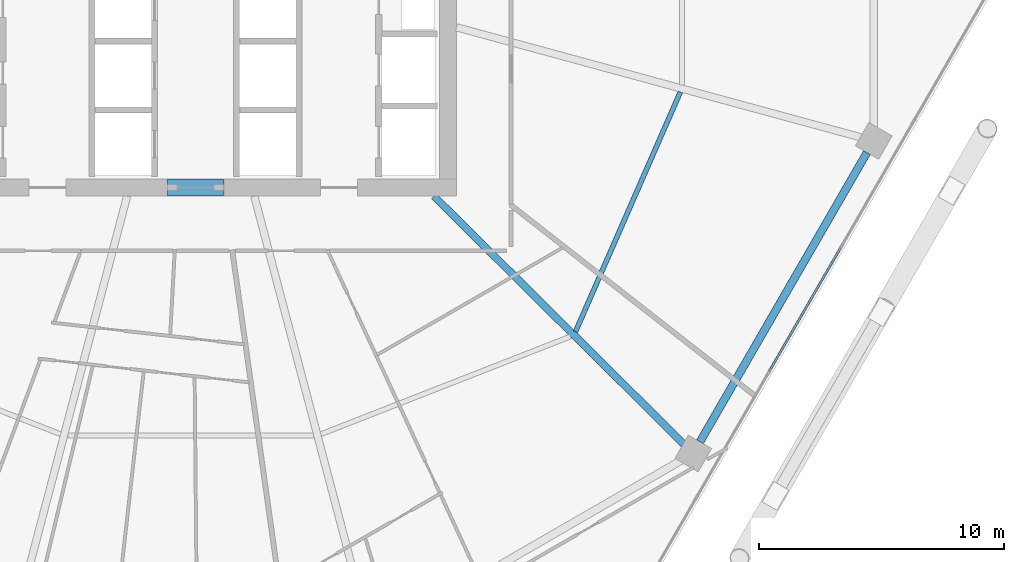
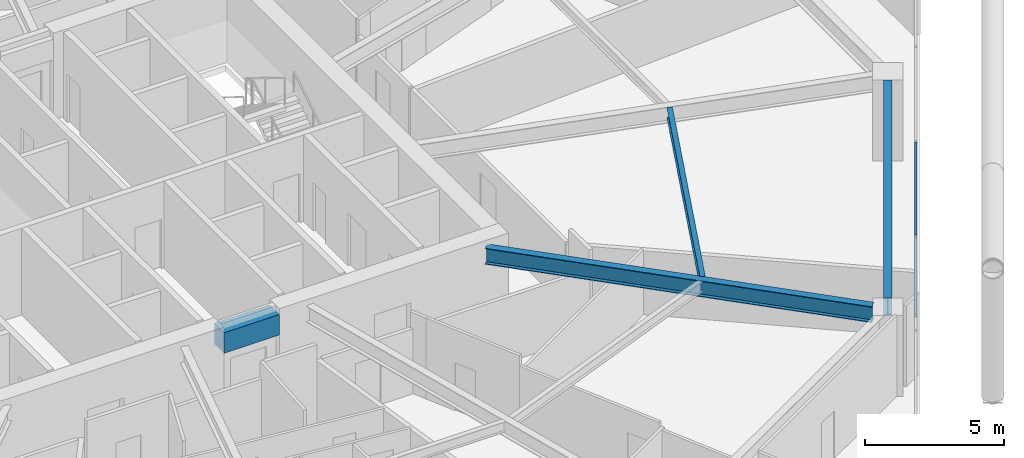
# One storey, part 10 of 34: 4 beams, 2 members, 1 element without a shape of its own.
"""IFC4 building model written with IfcOpenShell, lengths in metres."""

from ifc_helpers import new_model, si_unit, direction, frame, origin, origin_2d, place, context, subcontext, project, spatial, rectangle, hollow_rectangle, i_section, extrude, material, material_profile, profile_set, type_object, element, aggregate, save


model = new_model("IFC4")

# Units and contexts
model_context = context("Model", 3, precision=1e-05, world=origin(), true_north=direction((0.0, 1.0)))
body_context = subcontext(model_context, "Body", "Model", "MODEL_VIEW")
ifc_project = project(units=[si_unit("LENGTHUNIT", "METRE"), si_unit("AREAUNIT", "SQUARE_METRE"), si_unit("VOLUMEUNIT", "CUBIC_METRE"), si_unit("PLANEANGLEUNIT", "RADIAN"), si_unit("MASSUNIT", "GRAM", prefix="KILO")], contexts=[model_context])

# Site, building, storey
site_placement = place(None, origin())
site = spatial("IfcSite", under=ifc_project, at=site_placement, CompositionType="ELEMENT")
building_placement = place(site_placement, origin())
building = spatial("IfcBuilding", under=site, at=building_placement, Name="Zuhravey Tower", CompositionType="ELEMENT")
storey_placement = place(building_placement, frame((0.0, 0.0, 100.0)))
storey = spatial("IfcBuildingStorey", under=building, at=storey_placement, Name="L24", CompositionType="ELEMENT", Elevation=100.0)

# Beam
ifc_material_1 = material(Name="Concrete C60/75", Category="concrete")
ifc_material_profile_1 = material_profile(ifc_material_1, rectangle(XDim=0.699951171875, YDim=0.89990234375, at=origin_2d()), Name="RC-700x900")
ifc_profile_set_1 = profile_set([ifc_material_profile_1], Name="Concrete C60/75")
beam_type_1 = type_object("IfcBeamType", Name="Core Coupling Beam RC700x900", PredefinedType="LINTEL", material=ifc_profile_set_1)
beam_1_placement = place(storey_placement, frame((35.052001953125, 22.5, 3.10009765625), z_axis=(1.0, 0.0, 0.0), x_axis=(0.0, 1.0, 0.0)))
element("IfcBeam", 1, at=beam_1_placement, inside=storey, type_object=beam_type_1, Name="L24 CB1 BM-L24-CB-S", PredefinedType="LINTEL", context=body_context, shape_type="SweptSolid", body=[
    extrude(rectangle(XDim=0.699951171875, YDim=0.89990234375, at=origin_2d()), origin(), (0.0, 0.0, 1.0), 2.2958984375),
])

# Curtain wall, members
ifc_material_2 = material(Name="Thermally broken anodised aluminium", Category="aluminium")
curtain_wall_type = type_object("IfcCurtainWallType", Name="Zone 1-2 Residential Curtain Wall CW3", PredefinedType="NOTDEFINED", material=ifc_material_2)
curtain_wall_placement = place(storey_placement, origin())
curtain_wall = element("IfcCurtainWall", 2, at=curtain_wall_placement, inside=storey, type_object=curtain_wall_type, Name="L24 CW3 CW-L24-F6-1", PredefinedType="NOTDEFINED")
ifc_material_3 = material(Name="Anodised aluminium", Category="aluminium")
ifc_material_profile_2 = material_profile(ifc_material_3, hollow_rectangle(XDim=0.090087890625, YDim=0.14990234375, WallThickness=0.0048828125, at=origin_2d()), Name="ALU-RHS-90x150x5")
ifc_profile_set_2 = profile_set([ifc_material_profile_2], Name="Anodised aluminium")
member_type = type_object("IfcMemberType", Name="Curtain-Wall Transom 90x150", PredefinedType="USERDEFINED", material=ifc_profile_set_2)
member_1_placement = place(storey_placement, frame((62.5361328125, 20.045166015625, 0.044921875), z_axis=(-0.499981042766, -0.866036348472, 0.0), x_axis=(0.866036348472, -0.499981042766, 0.0)))
member_1 = element("IfcMember", 3, at=member_1_placement, type_object=member_type, Name="CW3 transom 3.1", ObjectType="TRANSOM", PredefinedType="USERDEFINED", context=body_context, shape_type="SweptSolid", body=[
    extrude(hollow_rectangle(XDim=0.090087890625, YDim=0.14990234375, WallThickness=0.0048828125, at=origin_2d()), origin(), (0.0, 0.0, 1.0), 5.829833984375),
])
member_2_placement = place(storey_placement, frame((62.5361328125, 20.045166015625, 3.5048828125), z_axis=(-0.499981042766, -0.866036348472, 0.0), x_axis=(0.866036348472, -0.499981042766, 0.0)))
member_2 = element("IfcMember", 4, at=member_2_placement, type_object=member_type, Name="CW3 transom 3.2", ObjectType="TRANSOM", PredefinedType="USERDEFINED", context=body_context, shape_type="SweptSolid", body=[
    extrude(hollow_rectangle(XDim=0.090087890625, YDim=0.14990234375, WallThickness=0.0048828125, at=origin_2d()), origin(), (0.0, 0.0, 1.0), 5.829833984375),
])
aggregate(curtain_wall, [member_1, member_2])

# Beams
ifc_material_4 = material(Name="Steel SM355", Category="steel")
ifc_material_profile_3 = material_profile(ifc_material_4, i_section(OverallWidth=0.320068359375, OverallDepth=0.75, WebThickness=0.013916015625, FlangeThickness=0.02490234375, at=origin_2d()), Name="H-750x320x14x25")
ifc_profile_set_3 = profile_set([ifc_material_profile_3], Name="Steel SM355")
beam_type_2 = type_object("IfcBeamType", Name="Perimeter Ring Beam H750x320", PredefinedType="BEAM", material=ifc_profile_set_3)
beam_2_placement = place(storey_placement, frame((56.79541015625, 12.1220703125, 3.175048828125), z_axis=(0.500008177929, 0.866020682204, 0.0), x_axis=(-0.866020682204, 0.500008177929, 0.0)))
element("IfcBeam", 5, at=beam_2_placement, inside=storey, type_object=beam_type_2, Name="L24 PB1 BM-L24-PB-11", PredefinedType="BEAM", context=body_context, shape_type="SweptSolid", body=[
    extrude(i_section(OverallWidth=0.320068359375, OverallDepth=0.75, WebThickness=0.013916015625, FlangeThickness=0.02490234375, at=origin_2d()), origin(), (0.0, 0.0, 1.0), 13.634033203125),
])
ifc_material_profile_4 = material_profile(ifc_material_4, i_section(OverallWidth=0.300048828125, OverallDepth=0.699951171875, WebThickness=0.012939453125, FlangeThickness=0.02392578125, at=origin_2d()), Name="H-700x300x13x24")
ifc_profile_set_4 = profile_set([ifc_material_profile_4], Name="Steel SM355")
beam_type_3 = type_object("IfcBeamType", Name="Radial Primary Girder H700x300", PredefinedType="BEAM", material=ifc_profile_set_4)
beam_3_placement = place(storey_placement, frame((45.931396484375, 22.14697265625, 3.199951171875), z_axis=(0.709906230344, -0.704296204816, 0.0), x_axis=(0.704296204816, 0.709906230344, 0.0)))
element("IfcBeam", 6, at=beam_3_placement, inside=storey, type_object=beam_type_3, Name="L24 RG1 BM-L24-RAD-11", PredefinedType="BEAM", context=body_context, shape_type="SweptSolid", body=[
    extrude(i_section(OverallWidth=0.300048828125, OverallDepth=0.699951171875, WebThickness=0.012939453125, FlangeThickness=0.02392578125, at=origin_2d()), origin(), (0.0, 0.0, 1.0), 14.361083984375),
])
ifc_material_profile_5 = material_profile(ifc_material_4, i_section(OverallWidth=0.199951171875, OverallDepth=0.449951171875, WebThickness=0.009033203125, FlangeThickness=0.013916015625, at=origin_2d()), Name="H-450x200x9x14")
ifc_profile_set_5 = profile_set([ifc_material_profile_5], Name="Steel SM355")
beam_type_4 = type_object("IfcBeamType", Name="Secondary Floor Joist H450x200", PredefinedType="JOIST", material=ifc_profile_set_5)
beam_4_placement = place(storey_placement, frame((51.71044921875, 16.615966796875, 3.324951171875), z_axis=(0.400786454617, 0.916171500209, 0.0), x_axis=(-0.916171500209, 0.400786454617, 0.0)))
element("IfcBeam", 7, at=beam_4_placement, inside=storey, type_object=beam_type_4, Name="L24 SJ1 BM-L24-SJ-11-1", PredefinedType="JOIST", context=body_context, shape_type="SweptSolid", body=[
    extrude(i_section(OverallWidth=0.199951171875, OverallDepth=0.449951171875, WebThickness=0.009033203125, FlangeThickness=0.013916015625, at=origin_2d()), origin(), (0.0, 0.0, 1.0), 10.6796875),
])

save(model, "model.ifc")
